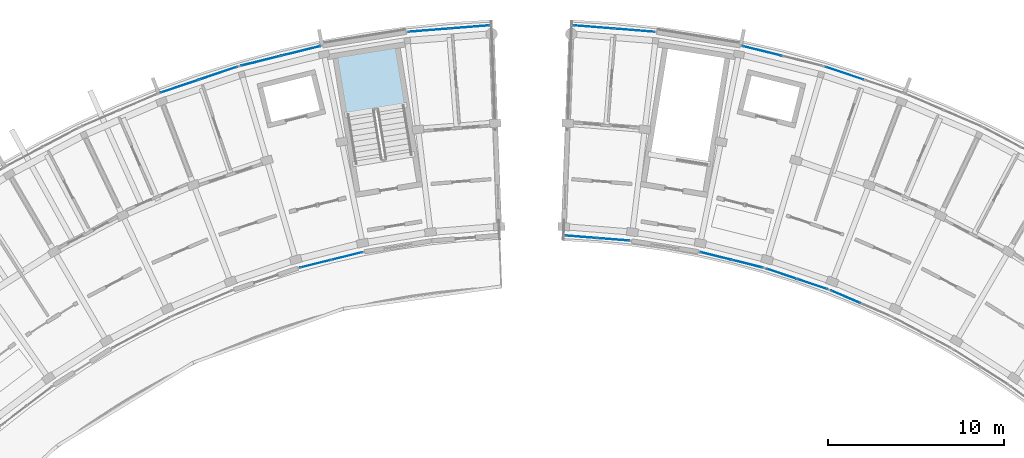
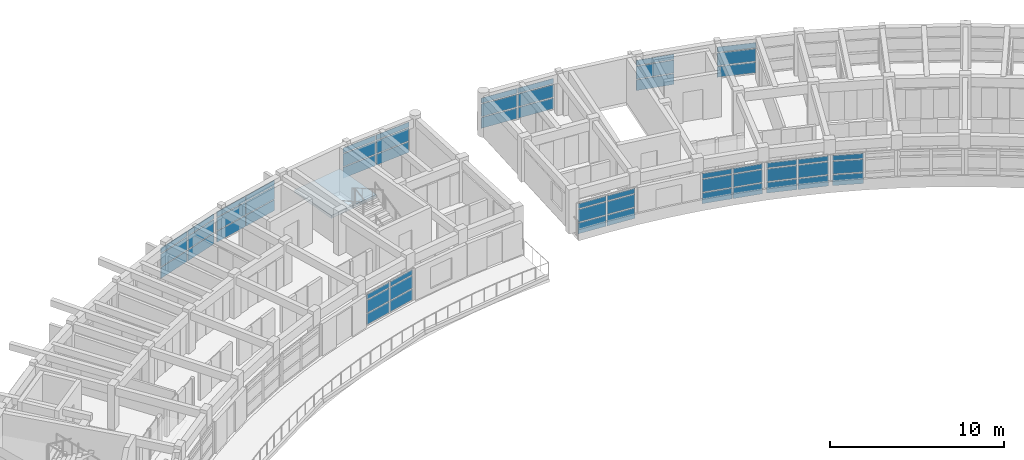
# One storey, part 11 of 23: 57 plates, 1 slab, 12 elements without a shape of their own.
"""IFC4 building model written with IfcOpenShell, lengths in metres."""

import ifcopenshell
import ifcopenshell.guid

model = None  # the IFC model being written
_history = None  # IfcOwnerHistory: only IFC2X3 demands one
_inside = {}  # id of a spatial element -> (the spatial element, [elements in it])
_under = {}  # id of a project, library or spatial element -> (it, [spatial elements below it])
_declared = {}  # id of a project -> (the project, [libraries it declares])
_typed = {}  # id of a type object -> (the type object, [elements of that type])
_made_of = {}  # id of a material, layer set ... -> (it, [elements and type objects made of it])


def new_model(schema):
    """Start an empty IFC model of exactly this schema.

    Asked for "IFC4X3", IfcOpenShell would pick the latest addendum, in which some entities
    have other attributes; the version numbers below select the first issue.
    IFC2X3 requires an IfcOwnerHistory on every rooted entity: one is made here for all.
    """
    global model, _history
    if schema == "IFC4X3":
        model = ifcopenshell.file(schema_version=(4, 3, 0, 0))
    else:
        model = ifcopenshell.file(schema=schema)
    _inside.clear()
    _under.clear()
    _declared.clear()
    _typed.clear()
    _made_of.clear()
    _history = None
    if model.schema == "IFC2X3":
        org = make("IfcOrganization", Name="unknown")
        user = make(
            "IfcPersonAndOrganization",
            ThePerson=make("IfcPerson", FamilyName="unknown"),
            TheOrganization=org,
        )
        app = make(
            "IfcApplication",
            ApplicationDeveloper=org,
            Version="unknown",
            ApplicationFullName="unknown",
            ApplicationIdentifier="unknown",
        )
        _history = make(
            "IfcOwnerHistory",
            OwningUser=user,
            OwningApplication=app,
            ChangeAction="ADDED",
            CreationDate=0,
        )
    return model


def make(cls, **values):
    """One entity of the class cls with the attributes given. An attribute that is None is left unset."""
    return model.create_entity(
        cls, **{name: value for name, value in values.items() if value is not None}
    )


def rooted(cls, **values):
    """An entity with a GlobalId (a new one), such as an element, a storey or a relation."""
    return make(cls, GlobalId=ifcopenshell.guid.new(), OwnerHistory=_history, **values)


def si_unit(unit_type, name, prefix=None):
    """IfcSIUnit, for example si_unit("LENGTHUNIT", "METRE", prefix="MILLI")."""
    return make("IfcSIUnit", UnitType=unit_type, Prefix=prefix, Name=name)


def assignment(units):
    """IfcUnitAssignment: the units of a project."""
    return None if units is None else make("IfcUnitAssignment", Units=units)


def point(xyz):
    """IfcCartesianPoint."""
    return None if xyz is None else make("IfcCartesianPoint", Coordinates=xyz)


def direction(xyz):
    """IfcDirection."""
    return None if xyz is None else make("IfcDirection", DirectionRatios=xyz)


def frame(location, z_axis=None, x_axis=None):
    """IfcAxis2Placement3D, a coordinate frame: its origin and axes. An axis left out is left unset."""
    return make(
        "IfcAxis2Placement3D",
        Location=point(location),
        Axis=direction(z_axis),
        RefDirection=direction(x_axis),
    )


def frame_2d(location, x_axis=None):
    """IfcAxis2Placement2D, a coordinate frame in the plane: its origin and x axis."""
    return make(
        "IfcAxis2Placement2D", Location=point(location), RefDirection=direction(x_axis)
    )


def origin():
    """The frame at (0, 0, 0) with its axes left unset."""
    return frame((0.0, 0.0, 0.0))


def origin_2d():
    """The frame at (0, 0) in the plane with its x axis left unset."""
    return frame_2d((0.0, 0.0))


def place(relative_to, where):
    """IfcLocalPlacement: puts the frame where relative to a parent placement (None: the world)."""
    return make(
        "IfcLocalPlacement", PlacementRelTo=relative_to, RelativePlacement=where
    )


def context(
    kind, dimensions, precision=None, world=None, true_north=None, identifier=None
):
    """IfcGeometricRepresentationContext, for example the 3D "Model" context."""
    return make(
        "IfcGeometricRepresentationContext",
        ContextIdentifier=identifier,
        ContextType=kind,
        CoordinateSpaceDimension=dimensions,
        Precision=precision,
        WorldCoordinateSystem=world,
        TrueNorth=true_north,
    )


def subcontext(parent, identifier, kind, view, scale=None):
    """IfcGeometricRepresentationSubContext, for example "Body" below "Model"."""
    return make(
        "IfcGeometricRepresentationSubContext",
        ContextIdentifier=identifier,
        ContextType=kind,
        ParentContext=parent,
        TargetScale=scale,
        TargetView=view,
    )


def project(units=None, contexts=None):
    """IfcProject with its units and contexts."""
    return rooted(
        "IfcProject",
        Name="project",
        RepresentationContexts=contexts,
        UnitsInContext=assignment(units),
    )


def spatial(cls, under=None, at=None, **own):
    """A site, building, storey or space (cls), placed at a placement, below another one or the project."""
    s = rooted(cls, ObjectPlacement=at, **own)
    if under is not None:
        _under.setdefault(under.id(), (under, []))[1].append(s)
    return s


def polyline(points):
    """IfcPolyline through the points."""
    return make("IfcPolyline", Points=[point(p) for p in points])


def profile(cls, at=None, kind="AREA", **sizes):
    """A parametric profile (cls). Its sizes go by their IFC names, for example OverallWidth=200.0."""
    return make(cls, ProfileType=kind, Position=at, **sizes)


def rectangle(**sizes):
    """IfcRectangleProfileDef."""
    return profile("IfcRectangleProfileDef", **sizes)


def outline(outer, holes=None, kind="AREA"):
    """IfcArbitraryClosedProfileDef: a profile drawn as a closed curve; with holes, ...WithVoids."""
    if holes is None:
        return make("IfcArbitraryClosedProfileDef", ProfileType=kind, OuterCurve=outer)
    return make(
        "IfcArbitraryProfileDefWithVoids",
        ProfileType=kind,
        OuterCurve=outer,
        InnerCurves=holes,
    )


def extrude(swept, where, along, depth):
    """IfcExtrudedAreaSolid: the profile swept, set in the frame where, extruded along a direction by depth."""
    return make(
        "IfcExtrudedAreaSolid",
        SweptArea=swept,
        Position=where,
        ExtrudedDirection=direction(along),
        Depth=depth,
    )


def shape(context_of_items, identifier, shape_type, items):
    """IfcShapeRepresentation: the items that make up one representation, for example the "Body"."""
    return make(
        "IfcShapeRepresentation",
        ContextOfItems=context_of_items,
        RepresentationIdentifier=identifier,
        RepresentationType=shape_type,
        Items=items,
    )


def material(Name=None, Category=None):
    """IfcMaterial."""
    return make("IfcMaterial", Name=Name, Category=Category)


def layer(
    of_material, thickness, ventilated=None, Name=None, Category=None, Priority=None
):
    """IfcMaterialLayer: one layer of a wall or slab, of a material (None: an air gap)."""
    return make(
        "IfcMaterialLayer",
        Material=of_material,
        LayerThickness=thickness,
        IsVentilated=ventilated,
        Name=Name,
        Category=Category,
        Priority=Priority,
    )


def layer_set(layers, Name=None):
    """IfcMaterialLayerSet."""
    return make("IfcMaterialLayerSet", MaterialLayers=layers, LayerSetName=Name)


def made_of(thing, what):
    """Note that an element or type object is made of a material, layer set ...; save() writes the relation."""
    if what is not None:
        _made_of.setdefault(what.id(), (what, []))[1].append(thing)
    return thing


def type_object(cls, material=None, **own):
    """A type object (cls), such as IfcWallType, which elements share."""
    return made_of(rooted(cls, **own), material)


def element(
    cls,
    number,
    at=None,
    inside=None,
    cuts=None,
    type_object=None,
    material=None,
    context=None,
    identifier="Body",
    shape_type=None,
    held_by="IfcProductDefinitionShape",
    body=None,
    shapes=None,
    **own,
):
    """One element of the class cls, such as IfcWall. Its Tag is "e" and its number.

    at: its placement. inside: the storey or other place that contains it. cuts: it is an
    opening in that element (IfcRelVoidsElement). A single representation is given by context,
    identifier, shape_type and body (its items); several are given by shapes. held_by: the class
    of the entity that holds the representations. save() writes the other relations.
    """
    e = rooted(cls, Tag="e%d" % number, ObjectPlacement=at, **own)
    if body is not None:
        shapes = [shape(context, identifier, shape_type, body)]
    if shapes is not None:
        e.Representation = make(held_by, Representations=shapes)
    if inside is not None:
        _inside.setdefault(inside.id(), (inside, []))[1].append(e)
    if cuts is not None:
        rooted(
            "IfcRelVoidsElement", RelatingBuildingElement=cuts, RelatedOpeningElement=e
        )
    if type_object is not None:
        _typed.setdefault(type_object.id(), (type_object, []))[1].append(e)
    return made_of(e, material)


def aggregate(whole, parts):
    """IfcRelAggregates: a whole, such as a stair, and the parts it consists of."""
    return rooted("IfcRelAggregates", RelatingObject=whole, RelatedObjects=parts)


def save(model, path):
    """Write the relations noted so far, then the file.

    IfcRelAggregates (storeys below a building ...), IfcRelContainedInSpatialStructure (elements
    in a storey), IfcRelDefinesByType, IfcRelAssociatesMaterial and IfcRelDeclares: one each for
    every whole, place, type object, material and project.
    """
    for whole, parts in _under.values():
        aggregate(whole, parts)
    for where, things in _inside.values():
        rooted(
            "IfcRelContainedInSpatialStructure",
            RelatedElements=things,
            RelatingStructure=where,
        )
    for kind, things in _typed.values():
        rooted("IfcRelDefinesByType", RelatedObjects=things, RelatingType=kind)
    for what, things in _made_of.values():
        rooted("IfcRelAssociatesMaterial", RelatedObjects=things, RelatingMaterial=what)
    for by, libraries in _declared.values():
        rooted("IfcRelDeclares", RelatingContext=by, RelatedDefinitions=libraries)
    model.write(path)


model = new_model("IFC4")

# Units and contexts
model_context = context("Model", 3, precision=1e-05, world=origin(), true_north=direction((0.0, 1.0)))
body_context = subcontext(model_context, "Body", "Model", "MODEL_VIEW")
ifc_project = project(units=[si_unit("LENGTHUNIT", "METRE"), si_unit("AREAUNIT", "SQUARE_METRE"), si_unit("VOLUMEUNIT", "CUBIC_METRE"), si_unit("PLANEANGLEUNIT", "RADIAN"), si_unit("MASSUNIT", "GRAM", prefix="KILO")], contexts=[model_context])

# Site, building, storey
site_placement = place(None, origin())
site = spatial("IfcSite", under=ifc_project, at=site_placement, CompositionType="ELEMENT")
building_placement = place(site_placement, origin())
building = spatial("IfcBuilding", under=site, at=building_placement, Name="Zimvara Arc Housing Community", CompositionType="ELEMENT")
storey_placement = place(building_placement, frame((0.0, 0.0, 36.0)))
storey = spatial("IfcBuildingStorey", under=building, at=storey_placement, Name="L11", CompositionType="ELEMENT", Elevation=36.0)

# Curtain wall, plates
ifc_material_1 = material(Name="Anodised Aluminium AW-6063", Category="aluminium")
curtain_wall_type_1 = type_object("IfcCurtainWallType", Name="CW-SYS-08", PredefinedType="USERDEFINED", material=ifc_material_1)
curtain_wall_1_placement = place(storey_placement, origin())
curtain_wall_1 = element("IfcCurtainWall", 1, at=curtain_wall_1_placement, inside=storey, type_object=curtain_wall_type_1, Name="cw:blkA:L11:out:b7", ObjectType="CURTAIN WALL", PredefinedType="USERDEFINED")
ifc_material_2 = material(Name="Pale-Gold Anodised Aluminium Spandrel Panel", Category="aluminium")
ifc_layer_1 = layer(ifc_material_2, 0.035888671875)
ifc_layer_set_1 = layer_set([ifc_layer_1], Name="Pale-Gold Anodised Aluminium Spandrel Panel")
plate_type_1 = type_object("IfcPlateType", Name="CWP-GLD-36", PredefinedType="CURTAIN_PANEL", material=ifc_layer_set_1)
plate_1_placement = place(storey_placement, frame((29.615234375, 101.81298828125, 0.06494140625), z_axis=(0.0, 0.0, 1.0), x_axis=(0.970716068627, 0.240229711131, 0.0)))
plate_1 = element("IfcPlate", 2, at=plate_1_placement, type_object=plate_type_1, Name="CW08 panel 1.1", PredefinedType="CURTAIN_PANEL", context=body_context, shape_type="SweptSolid", body=[
    extrude(rectangle(XDim=2.266845703125, YDim=0.035888671875, at=origin_2d()), origin(), (0.0, 0.0, 1.0), 0.75244140625),
])
plate_2_placement = place(storey_placement, frame((29.615234375, 101.81298828125, 0.88232421875), z_axis=(0.0, 0.0, 1.0), x_axis=(0.970716068627, 0.240229711131, 0.0)))
plate_2 = element("IfcPlate", 3, at=plate_2_placement, type_object=plate_type_1, Name="CW08 panel 1.2", PredefinedType="CURTAIN_PANEL", context=body_context, shape_type="SweptSolid", body=[
    extrude(rectangle(XDim=2.266845703125, YDim=0.035888671875, at=origin_2d()), origin(), (0.0, 0.0, 1.0), 0.885009765625),
])
plate_3_placement = place(storey_placement, frame((29.615234375, 101.81298828125, 1.83251953125), z_axis=(0.0, 0.0, 1.0), x_axis=(0.970716068627, 0.240229711131, 0.0)))
plate_3 = element("IfcPlate", 4, at=plate_3_placement, type_object=plate_type_1, Name="CW08 panel 1.3", PredefinedType="CURTAIN_PANEL", context=body_context, shape_type="SweptSolid", body=[
    extrude(rectangle(XDim=2.266845703125, YDim=0.035888671875, at=origin_2d()), origin(), (0.0, 0.0, 1.0), 0.3525390625),
])
plate_4_placement = place(storey_placement, frame((31.87890625, 102.373291015625, 0.06494140625), z_axis=(0.0, 0.0, 1.0), x_axis=(0.970716068627, 0.240229711131, 0.0)))
plate_4 = element("IfcPlate", 5, at=plate_4_placement, type_object=plate_type_1, Name="CW08 panel 2.1", PredefinedType="CURTAIN_PANEL", context=body_context, shape_type="SweptSolid", body=[
    extrude(rectangle(XDim=2.266845703125, YDim=0.035888671875, at=origin_2d()), origin(), (0.0, 0.0, 1.0), 0.75244140625),
])
plate_5_placement = place(storey_placement, frame((31.87890625, 102.373291015625, 0.88232421875), z_axis=(0.0, 0.0, 1.0), x_axis=(0.970716068627, 0.240229711131, 0.0)))
plate_5 = element("IfcPlate", 6, at=plate_5_placement, type_object=plate_type_1, Name="CW08 panel 2.2", PredefinedType="CURTAIN_PANEL", context=body_context, shape_type="SweptSolid", body=[
    extrude(rectangle(XDim=2.266845703125, YDim=0.035888671875, at=origin_2d()), origin(), (0.0, 0.0, 1.0), 0.885009765625),
])
plate_6_placement = place(storey_placement, frame((31.87890625, 102.373291015625, 1.83251953125), z_axis=(0.0, 0.0, 1.0), x_axis=(0.970716068627, 0.240229711131, 0.0)))
plate_6 = element("IfcPlate", 7, at=plate_6_placement, type_object=plate_type_1, Name="CW08 panel 2.3", PredefinedType="CURTAIN_PANEL", context=body_context, shape_type="SweptSolid", body=[
    extrude(rectangle(XDim=2.266845703125, YDim=0.035888671875, at=origin_2d()), origin(), (0.0, 0.0, 1.0), 0.3525390625),
])
aggregate(curtain_wall_1, [plate_1, plate_2, plate_3, plate_4, plate_5, plate_6])

curtain_wall_2_placement = place(storey_placement, origin())
curtain_wall_2 = element("IfcCurtainWall", 8, at=curtain_wall_2_placement, inside=storey, type_object=curtain_wall_type_1, Name="cw:blkB:L11:in:b2", ObjectType="CURTAIN WALL", PredefinedType="USERDEFINED")
plate_7_placement = place(storey_placement, frame((55.4873046875, 90.71435546875, 0.06494140625), z_axis=(0.0, 0.0, 1.0), x_axis=(0.970716198507, -0.240229186313, 0.0)))
plate_7 = element("IfcPlate", 9, at=plate_7_placement, type_object=plate_type_1, Name="CW08 panel 1.1", PredefinedType="CURTAIN_PANEL", context=body_context, shape_type="SweptSolid", body=[
    extrude(rectangle(XDim=1.778564453125, YDim=0.035888671875, at=origin_2d()), origin(), (0.0, 0.0, 1.0), 0.75244140625),
])
plate_8_placement = place(storey_placement, frame((55.4873046875, 90.71435546875, 0.88232421875), z_axis=(0.0, 0.0, 1.0), x_axis=(0.970716198507, -0.240229186313, 0.0)))
plate_8 = element("IfcPlate", 10, at=plate_8_placement, type_object=plate_type_1, Name="CW08 panel 1.2", PredefinedType="CURTAIN_PANEL", context=body_context, shape_type="SweptSolid", body=[
    extrude(rectangle(XDim=1.778564453125, YDim=0.035888671875, at=origin_2d()), origin(), (0.0, 0.0, 1.0), 0.885009765625),
])
plate_9_placement = place(storey_placement, frame((55.4873046875, 90.71435546875, 1.83251953125), z_axis=(0.0, 0.0, 1.0), x_axis=(0.970716198507, -0.240229186313, 0.0)))
plate_9 = element("IfcPlate", 11, at=plate_9_placement, type_object=plate_type_1, Name="CW08 panel 1.3", PredefinedType="CURTAIN_PANEL", context=body_context, shape_type="SweptSolid", body=[
    extrude(rectangle(XDim=1.778564453125, YDim=0.035888671875, at=origin_2d()), origin(), (0.0, 0.0, 1.0), 0.3525390625),
])
plate_10_placement = place(storey_placement, frame((57.27685546875, 90.271484375, 0.06494140625), z_axis=(0.0, 0.0, 1.0), x_axis=(0.970716198507, -0.240229186313, 0.0)))
plate_10 = element("IfcPlate", 12, at=plate_10_placement, type_object=plate_type_1, Name="CW08 panel 2.1", PredefinedType="CURTAIN_PANEL", context=body_context, shape_type="SweptSolid", body=[
    extrude(rectangle(XDim=1.778564453125, YDim=0.035888671875, at=origin_2d()), origin(), (0.0, 0.0, 1.0), 0.75244140625),
])
plate_11_placement = place(storey_placement, frame((57.27685546875, 90.271484375, 0.88232421875), z_axis=(0.0, 0.0, 1.0), x_axis=(0.970716198507, -0.240229186313, 0.0)))
plate_11 = element("IfcPlate", 13, at=plate_11_placement, type_object=plate_type_1, Name="CW08 panel 2.2", PredefinedType="CURTAIN_PANEL", context=body_context, shape_type="SweptSolid", body=[
    extrude(rectangle(XDim=1.778564453125, YDim=0.035888671875, at=origin_2d()), origin(), (0.0, 0.0, 1.0), 0.885009765625),
])
plate_12_placement = place(storey_placement, frame((57.27685546875, 90.271484375, 1.83251953125), z_axis=(0.0, 0.0, 1.0), x_axis=(0.970716198507, -0.240229186313, 0.0)))
plate_12 = element("IfcPlate", 14, at=plate_12_placement, type_object=plate_type_1, Name="CW08 panel 2.3", PredefinedType="CURTAIN_PANEL", context=body_context, shape_type="SweptSolid", body=[
    extrude(rectangle(XDim=1.778564453125, YDim=0.035888671875, at=origin_2d()), origin(), (0.0, 0.0, 1.0), 0.3525390625),
])
aggregate(curtain_wall_2, [plate_7, plate_8, plate_9, plate_10, plate_11, plate_12])

ifc_material_3 = material(Name="Anodised Aluminium AW-6063", Category="aluminium")
curtain_wall_type_2 = type_object("IfcCurtainWallType", Name="CW-SYS-04", PredefinedType="USERDEFINED", material=ifc_material_3)
curtain_wall_3_placement = place(storey_placement, origin())
curtain_wall_3 = element("IfcCurtainWall", 15, at=curtain_wall_3_placement, inside=storey, type_object=curtain_wall_type_2, Name="cw:blkB:L11:in:b4", ObjectType="CURTAIN WALL", PredefinedType="USERDEFINED")
plate_13_placement = place(storey_placement, frame((62.86376953125, 88.3935546875, 0.06494140625), z_axis=(0.0, 0.0, 1.0), x_axis=(0.918722411261, -0.394903951674, 0.0)))
plate_13 = element("IfcPlate", 16, at=plate_13_placement, type_object=plate_type_1, Name="CW04 panel 1.1", PredefinedType="CURTAIN_PANEL", context=body_context, shape_type="SweptSolid", body=[
    extrude(rectangle(XDim=1.778564453125, YDim=0.035888671875, at=origin_2d()), origin(), (0.0, 0.0, 1.0), 0.75244140625),
])
plate_14_placement = place(storey_placement, frame((62.86376953125, 88.3935546875, 0.88232421875), z_axis=(0.0, 0.0, 1.0), x_axis=(0.918722411261, -0.394903951674, 0.0)))
plate_14 = element("IfcPlate", 17, at=plate_14_placement, type_object=plate_type_1, Name="CW04 panel 1.2", PredefinedType="CURTAIN_PANEL", context=body_context, shape_type="SweptSolid", body=[
    extrude(rectangle(XDim=1.778564453125, YDim=0.035888671875, at=origin_2d()), origin(), (0.0, 0.0, 1.0), 0.885009765625),
])
plate_15_placement = place(storey_placement, frame((62.86376953125, 88.3935546875, 1.83251953125), z_axis=(0.0, 0.0, 1.0), x_axis=(0.918722411261, -0.394903951674, 0.0)))
plate_15 = element("IfcPlate", 18, at=plate_15_placement, type_object=plate_type_1, Name="CW04 panel 1.3", PredefinedType="CURTAIN_PANEL", context=body_context, shape_type="SweptSolid", body=[
    extrude(rectangle(XDim=1.778564453125, YDim=0.035888671875, at=origin_2d()), origin(), (0.0, 0.0, 1.0), 0.3525390625),
])
aggregate(curtain_wall_3, [plate_13, plate_14, plate_15])

ifc_material_4 = material(Name="Anodised Aluminium AW-6063", Category="aluminium")
curtain_wall_type_3 = type_object("IfcCurtainWallType", Name="CW-SYS-01", PredefinedType="USERDEFINED", material=ifc_material_4)
curtain_wall_4_placement = place(storey_placement, origin())
curtain_wall_4 = element("IfcCurtainWall", 19, at=curtain_wall_4_placement, inside=storey, type_object=curtain_wall_type_3, Name="cw:blkA:L11:in:b7", ObjectType="CURTAIN WALL", PredefinedType="USERDEFINED")
ifc_material_5 = material(Name="Solar Control Low-E Double Glazing", Category="glass")
ifc_layer_2 = layer(ifc_material_5, 0.02392578125)
ifc_layer_set_2 = layer_set([ifc_layer_2], Name="Solar Control Low-E Double Glazing")
plate_type_2 = type_object("IfcPlateType", Name="CWP-GLZ-24", PredefinedType="CURTAIN_PANEL", material=ifc_layer_set_2)
plate_16_placement = place(storey_placement, frame((32.72314453125, 90.271484375, 0.06494140625), z_axis=(0.0, 0.0, 1.0), x_axis=(0.970716198507, 0.240229186313, 0.0)))
plate_16 = element("IfcPlate", 20, at=plate_16_placement, type_object=plate_type_2, Name="CW01 panel 1.1", PredefinedType="CURTAIN_PANEL", context=body_context, shape_type="SweptSolid", body=[
    extrude(rectangle(XDim=1.778564453125, YDim=0.02392578125, at=origin_2d()), origin(), (0.0, 0.0, 1.0), 0.75244140625),
])
plate_17_placement = place(storey_placement, frame((32.72314453125, 90.271484375, 0.88232421875), z_axis=(0.0, 0.0, 1.0), x_axis=(0.970716198507, 0.240229186313, 0.0)))
plate_17 = element("IfcPlate", 21, at=plate_17_placement, type_object=plate_type_2, Name="CW01 panel 1.2", PredefinedType="CURTAIN_PANEL", context=body_context, shape_type="SweptSolid", body=[
    extrude(rectangle(XDim=1.778564453125, YDim=0.02392578125, at=origin_2d()), origin(), (0.0, 0.0, 1.0), 0.885009765625),
])
plate_18_placement = place(storey_placement, frame((32.72314453125, 90.271484375, 1.83251953125), z_axis=(0.0, 0.0, 1.0), x_axis=(0.970716198507, 0.240229186313, 0.0)))
plate_18 = element("IfcPlate", 22, at=plate_18_placement, type_object=plate_type_2, Name="CW01 panel 1.3", PredefinedType="CURTAIN_PANEL", context=body_context, shape_type="SweptSolid", body=[
    extrude(rectangle(XDim=1.778564453125, YDim=0.02392578125, at=origin_2d()), origin(), (0.0, 0.0, 1.0), 0.3525390625),
])
plate_19_placement = place(storey_placement, frame((34.5126953125, 90.71435546875, 0.06494140625), z_axis=(0.0, 0.0, 1.0), x_axis=(0.970716198507, 0.240229186313, 0.0)))
plate_19 = element("IfcPlate", 23, at=plate_19_placement, type_object=plate_type_2, Name="CW01 panel 2.1", PredefinedType="CURTAIN_PANEL", context=body_context, shape_type="SweptSolid", body=[
    extrude(rectangle(XDim=1.778564453125, YDim=0.02392578125, at=origin_2d()), origin(), (0.0, 0.0, 1.0), 0.75244140625),
])
plate_20_placement = place(storey_placement, frame((34.5126953125, 90.71435546875, 0.88232421875), z_axis=(0.0, 0.0, 1.0), x_axis=(0.970716198507, 0.240229186313, 0.0)))
plate_20 = element("IfcPlate", 24, at=plate_20_placement, type_object=plate_type_2, Name="CW01 panel 2.2", PredefinedType="CURTAIN_PANEL", context=body_context, shape_type="SweptSolid", body=[
    extrude(rectangle(XDim=1.778564453125, YDim=0.02392578125, at=origin_2d()), origin(), (0.0, 0.0, 1.0), 0.885009765625),
])
plate_21_placement = place(storey_placement, frame((34.5126953125, 90.71435546875, 1.83251953125), z_axis=(0.0, 0.0, 1.0), x_axis=(0.970716198507, 0.240229186313, 0.0)))
plate_21 = element("IfcPlate", 25, at=plate_21_placement, type_object=plate_type_2, Name="CW01 panel 2.3", PredefinedType="CURTAIN_PANEL", context=body_context, shape_type="SweptSolid", body=[
    extrude(rectangle(XDim=1.778564453125, YDim=0.02392578125, at=origin_2d()), origin(), (0.0, 0.0, 1.0), 0.3525390625),
])
aggregate(curtain_wall_4, [plate_16, plate_17, plate_18, plate_19, plate_20, plate_21])

ifc_material_6 = material(Name="Anodised Aluminium AW-6063", Category="aluminium")
curtain_wall_type_4 = type_object("IfcCurtainWallType", Name="CW-SYS-05", PredefinedType="USERDEFINED", material=ifc_material_6)
curtain_wall_5_placement = place(storey_placement, origin())
curtain_wall_5 = element("IfcCurtainWall", 26, at=curtain_wall_5_placement, inside=storey, type_object=curtain_wall_type_4, Name="cw:blkB:L11:out:b0", ObjectType="CURTAIN WALL", PredefinedType="USERDEFINED")
plate_22_placement = place(storey_placement, frame((48.533935546875, 103.736572265625, 0.06494140625), z_axis=(0.0, 0.0, 1.0), x_axis=(0.996862418963, -0.079153759607, 0.0)))
plate_22 = element("IfcPlate", 27, at=plate_22_placement, type_object=plate_type_2, Name="CW05 panel 1.1", PredefinedType="CURTAIN_PANEL", context=body_context, shape_type="SweptSolid", body=[
    extrude(rectangle(XDim=2.266845703125, YDim=0.02392578125, at=origin_2d()), origin(), (0.0, 0.0, 1.0), 0.75244140625),
])
plate_23_placement = place(storey_placement, frame((48.533935546875, 103.736572265625, 0.88232421875), z_axis=(0.0, 0.0, 1.0), x_axis=(0.996862418963, -0.079153759607, 0.0)))
plate_23 = element("IfcPlate", 28, at=plate_23_placement, type_object=plate_type_2, Name="CW05 panel 1.2", PredefinedType="CURTAIN_PANEL", context=body_context, shape_type="SweptSolid", body=[
    extrude(rectangle(XDim=2.266845703125, YDim=0.02392578125, at=origin_2d()), origin(), (0.0, 0.0, 1.0), 0.885009765625),
])
plate_24_placement = place(storey_placement, frame((48.533935546875, 103.736572265625, 1.83251953125), z_axis=(0.0, 0.0, 1.0), x_axis=(0.996862418963, -0.079153759607, 0.0)))
plate_24 = element("IfcPlate", 29, at=plate_24_placement, type_object=plate_type_2, Name="CW05 panel 1.3", PredefinedType="CURTAIN_PANEL", context=body_context, shape_type="SweptSolid", body=[
    extrude(rectangle(XDim=2.266845703125, YDim=0.02392578125, at=origin_2d()), origin(), (0.0, 0.0, 1.0), 0.3525390625),
])
plate_25_placement = place(storey_placement, frame((50.858642578125, 103.552001953125, 0.06494140625), z_axis=(0.0, 0.0, 1.0), x_axis=(0.996862418963, -0.079153759607, 0.0)))
plate_25 = element("IfcPlate", 30, at=plate_25_placement, type_object=plate_type_2, Name="CW05 panel 2.1", PredefinedType="CURTAIN_PANEL", context=body_context, shape_type="SweptSolid", body=[
    extrude(rectangle(XDim=2.266845703125, YDim=0.02392578125, at=origin_2d()), origin(), (0.0, 0.0, 1.0), 0.75244140625),
])
plate_26_placement = place(storey_placement, frame((50.858642578125, 103.552001953125, 0.88232421875), z_axis=(0.0, 0.0, 1.0), x_axis=(0.996862418963, -0.079153759607, 0.0)))
plate_26 = element("IfcPlate", 31, at=plate_26_placement, type_object=plate_type_2, Name="CW05 panel 2.2", PredefinedType="CURTAIN_PANEL", context=body_context, shape_type="SweptSolid", body=[
    extrude(rectangle(XDim=2.266845703125, YDim=0.02392578125, at=origin_2d()), origin(), (0.0, 0.0, 1.0), 0.885009765625),
])
plate_27_placement = place(storey_placement, frame((50.858642578125, 103.552001953125, 1.83251953125), z_axis=(0.0, 0.0, 1.0), x_axis=(0.996862418963, -0.079153759607, 0.0)))
plate_27 = element("IfcPlate", 32, at=plate_27_placement, type_object=plate_type_2, Name="CW05 panel 2.3", PredefinedType="CURTAIN_PANEL", context=body_context, shape_type="SweptSolid", body=[
    extrude(rectangle(XDim=2.266845703125, YDim=0.02392578125, at=origin_2d()), origin(), (0.0, 0.0, 1.0), 0.3525390625),
])
aggregate(curtain_wall_5, [plate_22, plate_23, plate_24, plate_25, plate_26, plate_27])

curtain_wall_6_placement = place(storey_placement, origin())
curtain_wall_6 = element("IfcCurtainWall", 33, at=curtain_wall_6_placement, inside=storey, type_object=curtain_wall_type_3, Name="cw:blkB:L11:out:b3", ObjectType="CURTAIN WALL", PredefinedType="USERDEFINED")
plate_28_placement = place(storey_placement, frame((62.799072265625, 101.109619140625, 0.06494140625), z_axis=(0.0, 0.0, 1.0), x_axis=(0.947879647164, -0.318628583921, 0.0)))
plate_28 = element("IfcPlate", 34, at=plate_28_placement, type_object=plate_type_2, Name="CW01 panel 1.1", PredefinedType="CURTAIN_PANEL", context=body_context, shape_type="SweptSolid", body=[
    extrude(rectangle(XDim=2.266845703125, YDim=0.02392578125, at=origin_2d()), origin(), (0.0, 0.0, 1.0), 0.75244140625),
])
plate_29_placement = place(storey_placement, frame((62.799072265625, 101.109619140625, 0.88232421875), z_axis=(0.0, 0.0, 1.0), x_axis=(0.947879647164, -0.318628583921, 0.0)))
plate_29 = element("IfcPlate", 35, at=plate_29_placement, type_object=plate_type_2, Name="CW01 panel 1.2", PredefinedType="CURTAIN_PANEL", context=body_context, shape_type="SweptSolid", body=[
    extrude(rectangle(XDim=2.266845703125, YDim=0.02392578125, at=origin_2d()), origin(), (0.0, 0.0, 1.0), 0.885009765625),
])
plate_30_placement = place(storey_placement, frame((62.799072265625, 101.109619140625, 1.83251953125), z_axis=(0.0, 0.0, 1.0), x_axis=(0.947879647164, -0.318628583921, 0.0)))
plate_30 = element("IfcPlate", 36, at=plate_30_placement, type_object=plate_type_2, Name="CW01 panel 1.3", PredefinedType="CURTAIN_PANEL", context=body_context, shape_type="SweptSolid", body=[
    extrude(rectangle(XDim=2.266845703125, YDim=0.02392578125, at=origin_2d()), origin(), (0.0, 0.0, 1.0), 0.3525390625),
])
aggregate(curtain_wall_6, [plate_28, plate_29, plate_30])

ifc_material_7 = material(Name="Anodised Aluminium AW-6063", Category="aluminium")
curtain_wall_type_5 = type_object("IfcCurtainWallType", Name="CW-SYS-02", PredefinedType="USERDEFINED", material=ifc_material_7)
curtain_wall_7_placement = place(storey_placement, origin())
curtain_wall_7 = element("IfcCurtainWall", 37, at=curtain_wall_7_placement, inside=storey, type_object=curtain_wall_type_5, Name="cw:blkA:L11:out:b9", ObjectType="CURTAIN WALL", PredefinedType="USERDEFINED")
ifc_material_8 = material(Name="Solar Control Low-E Double Glazing", Category="glass")
ifc_layer_3 = layer(ifc_material_8, 0.028076171875)
ifc_layer_set_3 = layer_set([ifc_layer_3], Name="Solar Control Low-E Double Glazing")
plate_type_3 = type_object("IfcPlateType", Name="CWP-GLZ-28", PredefinedType="CURTAIN_PANEL", material=ifc_layer_set_3)
plate_31_placement = place(storey_placement, frame((39.141357421875, 103.552001953125, 0.06494140625), z_axis=(0.0, 0.0, 1.0), x_axis=(0.996862418963, 0.079153759607, 0.0)))
plate_31 = element("IfcPlate", 38, at=plate_31_placement, type_object=plate_type_3, Name="CW02 panel 1.1", PredefinedType="CURTAIN_PANEL", context=body_context, shape_type="SweptSolid", body=[
    extrude(rectangle(XDim=2.266845703125, YDim=0.028076171875, at=origin_2d()), origin(), (0.0, 0.0, 1.0), 0.75244140625),
])
plate_32_placement = place(storey_placement, frame((39.141357421875, 103.552001953125, 0.88232421875), z_axis=(0.0, 0.0, 1.0), x_axis=(0.996862418963, 0.079153759607, 0.0)))
plate_32 = element("IfcPlate", 39, at=plate_32_placement, type_object=plate_type_3, Name="CW02 panel 1.2", PredefinedType="CURTAIN_PANEL", context=body_context, shape_type="SweptSolid", body=[
    extrude(rectangle(XDim=2.266845703125, YDim=0.028076171875, at=origin_2d()), origin(), (0.0, 0.0, 1.0), 0.885009765625),
])
plate_33_placement = place(storey_placement, frame((39.141357421875, 103.552001953125, 1.83251953125), z_axis=(0.0, 0.0, 1.0), x_axis=(0.996862418963, 0.079153759607, 0.0)))
plate_33 = element("IfcPlate", 40, at=plate_33_placement, type_object=plate_type_3, Name="CW02 panel 1.3", PredefinedType="CURTAIN_PANEL", context=body_context, shape_type="SweptSolid", body=[
    extrude(rectangle(XDim=2.266845703125, YDim=0.028076171875, at=origin_2d()), origin(), (0.0, 0.0, 1.0), 0.3525390625),
])
plate_34_placement = place(storey_placement, frame((41.466064453125, 103.736572265625, 0.06494140625), z_axis=(0.0, 0.0, 1.0), x_axis=(0.996862418963, 0.079153759607, 0.0)))
plate_34 = element("IfcPlate", 41, at=plate_34_placement, type_object=plate_type_3, Name="CW02 panel 2.1", PredefinedType="CURTAIN_PANEL", context=body_context, shape_type="SweptSolid", body=[
    extrude(rectangle(XDim=2.266845703125, YDim=0.028076171875, at=origin_2d()), origin(), (0.0, 0.0, 1.0), 0.75244140625),
])
plate_35_placement = place(storey_placement, frame((41.466064453125, 103.736572265625, 0.88232421875), z_axis=(0.0, 0.0, 1.0), x_axis=(0.996862418963, 0.079153759607, 0.0)))
plate_35 = element("IfcPlate", 42, at=plate_35_placement, type_object=plate_type_3, Name="CW02 panel 2.2", PredefinedType="CURTAIN_PANEL", context=body_context, shape_type="SweptSolid", body=[
    extrude(rectangle(XDim=2.266845703125, YDim=0.028076171875, at=origin_2d()), origin(), (0.0, 0.0, 1.0), 0.885009765625),
])
plate_36_placement = place(storey_placement, frame((41.466064453125, 103.736572265625, 1.83251953125), z_axis=(0.0, 0.0, 1.0), x_axis=(0.996862418963, 0.079153759607, 0.0)))
plate_36 = element("IfcPlate", 43, at=plate_36_placement, type_object=plate_type_3, Name="CW02 panel 2.3", PredefinedType="CURTAIN_PANEL", context=body_context, shape_type="SweptSolid", body=[
    extrude(rectangle(XDim=2.266845703125, YDim=0.028076171875, at=origin_2d()), origin(), (0.0, 0.0, 1.0), 0.3525390625),
])
aggregate(curtain_wall_7, [plate_31, plate_32, plate_33, plate_34, plate_35, plate_36])

ifc_material_9 = material(Name="Anodised Aluminium AW-6063", Category="aluminium")
curtain_wall_type_6 = type_object("IfcCurtainWallType", Name="CW-SYS-06", PredefinedType="USERDEFINED", material=ifc_material_9)
curtain_wall_8_placement = place(storey_placement, origin())
curtain_wall_8 = element("IfcCurtainWall", 44, at=curtain_wall_8_placement, inside=storey, type_object=curtain_wall_type_6, Name="cw:blkB:L11:in:b0", ObjectType="CURTAIN WALL", PredefinedType="USERDEFINED")
plate_37_placement = place(storey_placement, frame((47.83154296875, 91.8046875, 0.06494140625), z_axis=(0.0, 0.0, 1.0), x_axis=(0.996862312384, -0.079155101851, 0.0)))
plate_37 = element("IfcPlate", 45, at=plate_37_placement, type_object=plate_type_3, Name="CW06 panel 1.1", PredefinedType="CURTAIN_PANEL", context=body_context, shape_type="SweptSolid", body=[
    extrude(rectangle(XDim=1.778564453125, YDim=0.028076171875, at=origin_2d()), origin(), (0.0, 0.0, 1.0), 0.75244140625),
])
plate_38_placement = place(storey_placement, frame((47.83154296875, 91.8046875, 0.88232421875), z_axis=(0.0, 0.0, 1.0), x_axis=(0.996862312384, -0.079155101851, 0.0)))
plate_38 = element("IfcPlate", 46, at=plate_38_placement, type_object=plate_type_3, Name="CW06 panel 1.2", PredefinedType="CURTAIN_PANEL", context=body_context, shape_type="SweptSolid", body=[
    extrude(rectangle(XDim=1.778564453125, YDim=0.028076171875, at=origin_2d()), origin(), (0.0, 0.0, 1.0), 0.885009765625),
])
plate_39_placement = place(storey_placement, frame((47.83154296875, 91.8046875, 1.83251953125), z_axis=(0.0, 0.0, 1.0), x_axis=(0.996862312384, -0.079155101851, 0.0)))
plate_39 = element("IfcPlate", 47, at=plate_39_placement, type_object=plate_type_3, Name="CW06 panel 1.3", PredefinedType="CURTAIN_PANEL", context=body_context, shape_type="SweptSolid", body=[
    extrude(rectangle(XDim=1.778564453125, YDim=0.028076171875, at=origin_2d()), origin(), (0.0, 0.0, 1.0), 0.3525390625),
])
plate_40_placement = place(storey_placement, frame((49.66943359375, 91.658935546875, 0.06494140625), z_axis=(0.0, 0.0, 1.0), x_axis=(0.996862312384, -0.079155101851, 0.0)))
plate_40 = element("IfcPlate", 48, at=plate_40_placement, type_object=plate_type_3, Name="CW06 panel 2.1", PredefinedType="CURTAIN_PANEL", context=body_context, shape_type="SweptSolid", body=[
    extrude(rectangle(XDim=1.778564453125, YDim=0.028076171875, at=origin_2d()), origin(), (0.0, 0.0, 1.0), 0.75244140625),
])
plate_41_placement = place(storey_placement, frame((49.66943359375, 91.658935546875, 0.88232421875), z_axis=(0.0, 0.0, 1.0), x_axis=(0.996862312384, -0.079155101851, 0.0)))
plate_41 = element("IfcPlate", 49, at=plate_41_placement, type_object=plate_type_3, Name="CW06 panel 2.2", PredefinedType="CURTAIN_PANEL", context=body_context, shape_type="SweptSolid", body=[
    extrude(rectangle(XDim=1.778564453125, YDim=0.028076171875, at=origin_2d()), origin(), (0.0, 0.0, 1.0), 0.885009765625),
])
plate_42_placement = place(storey_placement, frame((49.66943359375, 91.658935546875, 1.83251953125), z_axis=(0.0, 0.0, 1.0), x_axis=(0.996862312384, -0.079155101851, 0.0)))
plate_42 = element("IfcPlate", 50, at=plate_42_placement, type_object=plate_type_3, Name="CW06 panel 2.3", PredefinedType="CURTAIN_PANEL", context=body_context, shape_type="SweptSolid", body=[
    extrude(rectangle(XDim=1.778564453125, YDim=0.028076171875, at=origin_2d()), origin(), (0.0, 0.0, 1.0), 0.3525390625),
])
aggregate(curtain_wall_8, [plate_37, plate_38, plate_39, plate_40, plate_41, plate_42])

curtain_wall_9_placement = place(storey_placement, origin())
curtain_wall_9 = element("IfcCurtainWall", 51, at=curtain_wall_9_placement, inside=storey, type_object=curtain_wall_type_5, Name="cw:blkB:L11:in:b3", ObjectType="CURTAIN WALL", PredefinedType="USERDEFINED")
plate_43_placement = place(storey_placement, frame((59.222900390625, 89.70458984375, 0.06494140625), z_axis=(0.0, 0.0, 1.0), x_axis=(0.94788021002, -0.318626909491, 0.0)))
plate_43 = element("IfcPlate", 52, at=plate_43_placement, type_object=plate_type_3, Name="CW02 panel 1.1", PredefinedType="CURTAIN_PANEL", context=body_context, shape_type="SweptSolid", body=[
    extrude(rectangle(XDim=1.778564453125, YDim=0.028076171875, at=origin_2d()), origin(), (0.0, 0.0, 1.0), 0.75244140625),
])
plate_44_placement = place(storey_placement, frame((59.222900390625, 89.70458984375, 0.88232421875), z_axis=(0.0, 0.0, 1.0), x_axis=(0.94788021002, -0.318626909491, 0.0)))
plate_44 = element("IfcPlate", 53, at=plate_44_placement, type_object=plate_type_3, Name="CW02 panel 1.2", PredefinedType="CURTAIN_PANEL", context=body_context, shape_type="SweptSolid", body=[
    extrude(rectangle(XDim=1.778564453125, YDim=0.028076171875, at=origin_2d()), origin(), (0.0, 0.0, 1.0), 0.885009765625),
])
plate_45_placement = place(storey_placement, frame((59.222900390625, 89.70458984375, 1.83251953125), z_axis=(0.0, 0.0, 1.0), x_axis=(0.94788021002, -0.318626909491, 0.0)))
plate_45 = element("IfcPlate", 54, at=plate_45_placement, type_object=plate_type_3, Name="CW02 panel 1.3", PredefinedType="CURTAIN_PANEL", context=body_context, shape_type="SweptSolid", body=[
    extrude(rectangle(XDim=1.778564453125, YDim=0.028076171875, at=origin_2d()), origin(), (0.0, 0.0, 1.0), 0.3525390625),
])
plate_46_placement = place(storey_placement, frame((60.970458984375, 89.1171875, 0.06494140625), z_axis=(0.0, 0.0, 1.0), x_axis=(0.94788021002, -0.318626909491, 0.0)))
plate_46 = element("IfcPlate", 55, at=plate_46_placement, type_object=plate_type_3, Name="CW02 panel 2.1", PredefinedType="CURTAIN_PANEL", context=body_context, shape_type="SweptSolid", body=[
    extrude(rectangle(XDim=1.778564453125, YDim=0.028076171875, at=origin_2d()), origin(), (0.0, 0.0, 1.0), 0.75244140625),
])
plate_47_placement = place(storey_placement, frame((60.970458984375, 89.1171875, 0.88232421875), z_axis=(0.0, 0.0, 1.0), x_axis=(0.94788021002, -0.318626909491, 0.0)))
plate_47 = element("IfcPlate", 56, at=plate_47_placement, type_object=plate_type_3, Name="CW02 panel 2.2", PredefinedType="CURTAIN_PANEL", context=body_context, shape_type="SweptSolid", body=[
    extrude(rectangle(XDim=1.778564453125, YDim=0.028076171875, at=origin_2d()), origin(), (0.0, 0.0, 1.0), 0.885009765625),
])
plate_48_placement = place(storey_placement, frame((60.970458984375, 89.1171875, 1.83251953125), z_axis=(0.0, 0.0, 1.0), x_axis=(0.94788021002, -0.318626909491, 0.0)))
plate_48 = element("IfcPlate", 57, at=plate_48_placement, type_object=plate_type_3, Name="CW02 panel 2.3", PredefinedType="CURTAIN_PANEL", context=body_context, shape_type="SweptSolid", body=[
    extrude(rectangle(XDim=1.778564453125, YDim=0.028076171875, at=origin_2d()), origin(), (0.0, 0.0, 1.0), 0.3525390625),
])
aggregate(curtain_wall_9, [plate_43, plate_44, plate_45, plate_46, plate_47, plate_48])

ifc_material_10 = material(Name="Anodised Aluminium AW-6063", Category="aluminium")
curtain_wall_type_7 = type_object("IfcCurtainWallType", Name="CW-SYS-07", PredefinedType="USERDEFINED", material=ifc_material_10)
curtain_wall_10_placement = place(storey_placement, origin())
curtain_wall_10 = element("IfcCurtainWall", 58, at=curtain_wall_10_placement, inside=storey, type_object=curtain_wall_type_7, Name="cw:blkA:L11:out:b6", ObjectType="CURTAIN WALL", PredefinedType="USERDEFINED")
ifc_material_11 = material(Name="Acoustic Laminated Solar Glazing", Category="glass")
ifc_layer_4 = layer(ifc_material_11, 0.031982421875)
ifc_layer_set_4 = layer_set([ifc_layer_4], Name="Acoustic Laminated Solar Glazing")
plate_type_4 = type_object("IfcPlateType", Name="CWP-GLZ-32", PredefinedType="CURTAIN_PANEL", material=ifc_layer_set_4)
plate_49_placement = place(storey_placement, frame((24.990478515625, 100.36669921875, 0.06494140625), z_axis=(0.0, 0.0, 1.0), x_axis=(0.947879647164, 0.318628583921, 0.0)))
plate_49 = element("IfcPlate", 59, at=plate_49_placement, type_object=plate_type_4, Name="CW07 panel 1.1", PredefinedType="CURTAIN_PANEL", context=body_context, shape_type="SweptSolid", body=[
    extrude(rectangle(XDim=2.266845703125, YDim=0.031982421875, at=origin_2d()), origin(), (0.0, 0.0, 1.0), 0.75244140625),
])
plate_50_placement = place(storey_placement, frame((24.990478515625, 100.36669921875, 0.88232421875), z_axis=(0.0, 0.0, 1.0), x_axis=(0.947879647164, 0.318628583921, 0.0)))
plate_50 = element("IfcPlate", 60, at=plate_50_placement, type_object=plate_type_4, Name="CW07 panel 1.2", PredefinedType="CURTAIN_PANEL", context=body_context, shape_type="SweptSolid", body=[
    extrude(rectangle(XDim=2.266845703125, YDim=0.031982421875, at=origin_2d()), origin(), (0.0, 0.0, 1.0), 0.885009765625),
])
plate_51_placement = place(storey_placement, frame((24.990478515625, 100.36669921875, 1.83251953125), z_axis=(0.0, 0.0, 1.0), x_axis=(0.947879647164, 0.318628583921, 0.0)))
plate_51 = element("IfcPlate", 61, at=plate_51_placement, type_object=plate_type_4, Name="CW07 panel 1.3", PredefinedType="CURTAIN_PANEL", context=body_context, shape_type="SweptSolid", body=[
    extrude(rectangle(XDim=2.266845703125, YDim=0.031982421875, at=origin_2d()), origin(), (0.0, 0.0, 1.0), 0.3525390625),
])
plate_52_placement = place(storey_placement, frame((27.200927734375, 101.109619140625, 0.06494140625), z_axis=(0.0, 0.0, 1.0), x_axis=(0.947879647164, 0.318628583921, 0.0)))
plate_52 = element("IfcPlate", 62, at=plate_52_placement, type_object=plate_type_4, Name="CW07 panel 2.1", PredefinedType="CURTAIN_PANEL", context=body_context, shape_type="SweptSolid", body=[
    extrude(rectangle(XDim=2.266845703125, YDim=0.031982421875, at=origin_2d()), origin(), (0.0, 0.0, 1.0), 0.75244140625),
])
plate_53_placement = place(storey_placement, frame((27.200927734375, 101.109619140625, 0.88232421875), z_axis=(0.0, 0.0, 1.0), x_axis=(0.947879647164, 0.318628583921, 0.0)))
plate_53 = element("IfcPlate", 63, at=plate_53_placement, type_object=plate_type_4, Name="CW07 panel 2.2", PredefinedType="CURTAIN_PANEL", context=body_context, shape_type="SweptSolid", body=[
    extrude(rectangle(XDim=2.266845703125, YDim=0.031982421875, at=origin_2d()), origin(), (0.0, 0.0, 1.0), 0.885009765625),
])
plate_54_placement = place(storey_placement, frame((27.200927734375, 101.109619140625, 1.83251953125), z_axis=(0.0, 0.0, 1.0), x_axis=(0.947879647164, 0.318628583921, 0.0)))
plate_54 = element("IfcPlate", 64, at=plate_54_placement, type_object=plate_type_4, Name="CW07 panel 2.3", PredefinedType="CURTAIN_PANEL", context=body_context, shape_type="SweptSolid", body=[
    extrude(rectangle(XDim=2.266845703125, YDim=0.031982421875, at=origin_2d()), origin(), (0.0, 0.0, 1.0), 0.3525390625),
])
aggregate(curtain_wall_10, [plate_49, plate_50, plate_51, plate_52, plate_53, plate_54])

curtain_wall_11_placement = place(storey_placement, origin())
curtain_wall_11 = element("IfcCurtainWall", 65, at=curtain_wall_11_placement, inside=storey, type_object=curtain_wall_type_7, Name="cw:blkB:L11:out:b2", ObjectType="CURTAIN WALL", PredefinedType="USERDEFINED")
plate_55_placement = place(storey_placement, frame((58.12109375, 102.373291015625, 0.06494140625), z_axis=(0.0, 0.0, 1.0), x_axis=(0.970716068627, -0.240229711131, 0.0)))
plate_55 = element("IfcPlate", 66, at=plate_55_placement, type_object=plate_type_4, Name="CW07 panel 1.1", PredefinedType="CURTAIN_PANEL", context=body_context, shape_type="SweptSolid", body=[
    extrude(rectangle(XDim=2.266845703125, YDim=0.031982421875, at=origin_2d()), origin(), (0.0, 0.0, 1.0), 0.75244140625),
])
plate_56_placement = place(storey_placement, frame((58.12109375, 102.373291015625, 0.88232421875), z_axis=(0.0, 0.0, 1.0), x_axis=(0.970716068627, -0.240229711131, 0.0)))
plate_56 = element("IfcPlate", 67, at=plate_56_placement, type_object=plate_type_4, Name="CW07 panel 1.2", PredefinedType="CURTAIN_PANEL", context=body_context, shape_type="SweptSolid", body=[
    extrude(rectangle(XDim=2.266845703125, YDim=0.031982421875, at=origin_2d()), origin(), (0.0, 0.0, 1.0), 0.885009765625),
])
plate_57_placement = place(storey_placement, frame((58.12109375, 102.373291015625, 1.83251953125), z_axis=(0.0, 0.0, 1.0), x_axis=(0.970716068627, -0.240229711131, 0.0)))
plate_57 = element("IfcPlate", 68, at=plate_57_placement, type_object=plate_type_4, Name="CW07 panel 1.3", PredefinedType="CURTAIN_PANEL", context=body_context, shape_type="SweptSolid", body=[
    extrude(rectangle(XDim=2.266845703125, YDim=0.031982421875, at=origin_2d()), origin(), (0.0, 0.0, 1.0), 0.3525390625),
])
aggregate(curtain_wall_11, [plate_55, plate_56, plate_57])

# Stair, slab
ifc_material_12 = material(Name="Concrete C35/45", Category="concrete")
stair_type = type_object("IfcStairType", Name="STR-DL-315-310", PredefinedType="HALF_TURN_STAIR", material=ifc_material_12)
stair_placement = place(storey_placement, origin())
stair = element("IfcStair", 69, at=stair_placement, inside=storey, type_object=stair_type, Name="L11 Block A Exit Stair 2", PredefinedType="HALF_TURN_STAIR")
ifc_material_13 = material(Name="Concrete C35/45", Category="concrete")
ifc_layer_5 = layer(ifc_material_13, 0.199951171875)
ifc_layer_set_5 = layer_set([ifc_layer_5], Name="Concrete C35/45")
slab_type = type_object("IfcSlabType", Name="SLB-STAIR-LND-200", PredefinedType="LANDING", material=ifc_layer_set_5)
slab_placement = place(storey_placement, frame((0.0, 0.0, 1.35009765625)))
slab = element("IfcSlab", 70, at=slab_placement, type_object=slab_type, Name="ST-A2 landing 1", PredefinedType="LANDING", context=body_context, shape_type="SweptSolid", body=[
    extrude(outline(polyline([(37.814697265625, 99.2509765625), (37.278564453125, 102.552978515625), (33.962158203125, 102.014404296875), (34.498046875, 98.712646484375), (37.814697265625, 99.2509765625)])), origin(), (0.0, 0.0, 1.0), 0.199951171875),
])
aggregate(stair, [slab])

save(model, "model.ifc")
